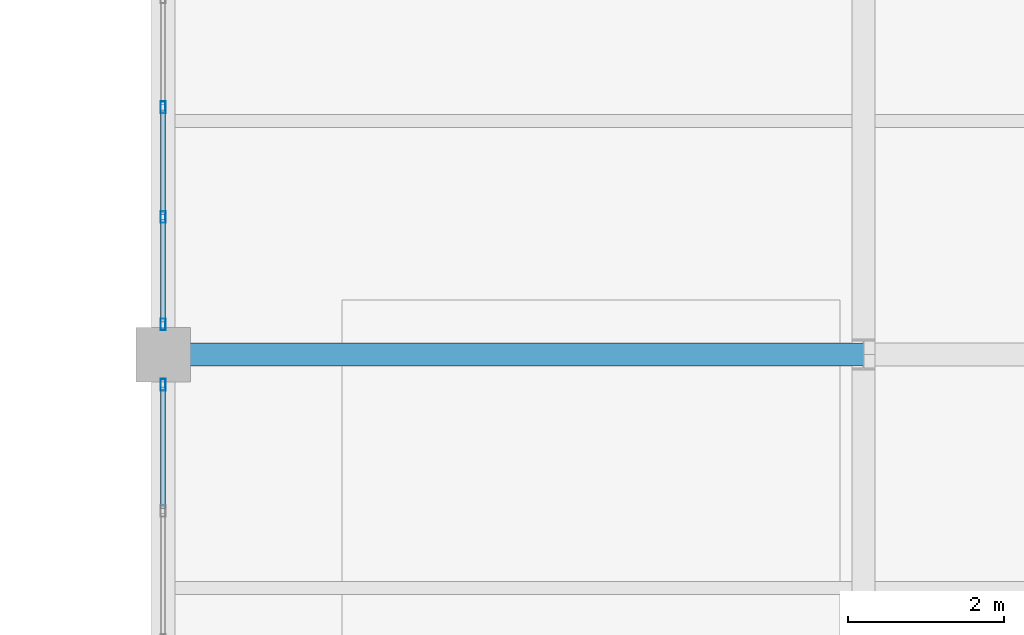
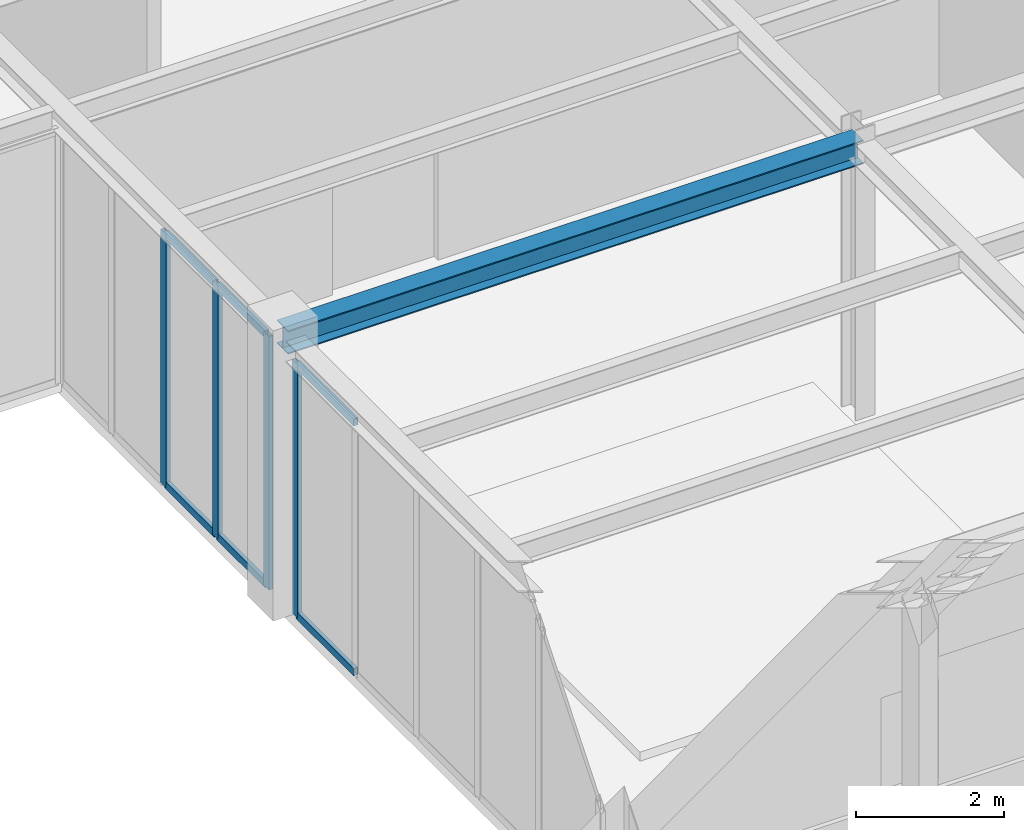
# One storey, part 30 of 92: 10 members, 1 beam, 2 elements without a shape of their own.
"""IFC4 building model written with IfcOpenShell, lengths in metres."""

from ifc_helpers import new_model, si_unit, direction, frame, origin, origin_2d, place, context, subcontext, project, spatial, hollow_rectangle, i_section, extrude, material, material_profile, profile_set, type_object, element, aggregate, save


model = new_model("IFC4")

# Units and contexts
model_context = context("Model", 3, precision=1e-05, world=origin(), true_north=direction((0.0, 1.0)))
body_context = subcontext(model_context, "Body", "Model", "MODEL_VIEW")
ifc_project = project(units=[si_unit("LENGTHUNIT", "METRE"), si_unit("AREAUNIT", "SQUARE_METRE"), si_unit("VOLUMEUNIT", "CUBIC_METRE"), si_unit("PLANEANGLEUNIT", "RADIAN"), si_unit("MASSUNIT", "GRAM", prefix="KILO")], contexts=[model_context])

# Site, building, storey
site_placement = place(None, origin())
site = spatial("IfcSite", under=ifc_project, at=site_placement, CompositionType="ELEMENT")
building_placement = place(site_placement, origin())
building = spatial("IfcBuilding", under=site, at=building_placement, Name="Lykobir Media Centre", CompositionType="ELEMENT")
storey_placement = place(building_placement, frame((0.0, 0.0, 5.39990234375)))
storey = spatial("IfcBuildingStorey", under=building, at=storey_placement, Name="L01", CompositionType="ELEMENT", Elevation=5.39990234375)

# Beam
ifc_material_1 = material(Name="Steel S355", Category="steel")
ifc_material_profile_1 = material_profile(ifc_material_1, i_section(OverallWidth=0.300048828125, OverallDepth=0.389892578125, WebThickness=0.010986328125, FlangeThickness=0.01904296875, at=origin_2d()), Name="HEA 400")
ifc_profile_set_1 = profile_set([ifc_material_profile_1], Name="Steel S355")
beam_type = type_object("IfcBeamType", Name="BM-HEA400", PredefinedType="BEAM", material=ifc_profile_set_1)
beam_placement = place(storey_placement, frame((90.0, 9.0, 4.364990234375), z_axis=(1.0, 0.0, 0.0), x_axis=(0.0, 1.0, 0.0)))
element("IfcBeam", 1, at=beam_placement, inside=storey, type_object=beam_type, Name="Beam BM-L01-0900-0090-0990-0090-976", PredefinedType="BEAM", context=body_context, shape_type="SweptSolid", body=[
    extrude(i_section(OverallWidth=0.300048828125, OverallDepth=0.389892578125, WebThickness=0.010986328125, FlangeThickness=0.01904296875, at=origin_2d()), origin(), (0.0, 0.0, 1.0), 9.0),
])

# Curtain wall, member
ifc_material_2 = material(Name="Anodized Aluminium AW-6060", Category="aluminium")
curtain_wall_type = type_object("IfcCurtainWallType", Name="CW-BRIDGE", PredefinedType="NOTDEFINED", material=ifc_material_2)
curtain_wall_1_placement = place(storey_placement, origin())
curtain_wall_1 = element("IfcCurtainWall", 2, at=curtain_wall_1_placement, inside=storey, type_object=curtain_wall_type, Name="Curtain wall CW2-L01-0026", PredefinedType="NOTDEFINED")
ifc_material_profile_2 = material_profile(ifc_material_2, hollow_rectangle(XDim=0.06494140625, YDim=0.14990234375, WallThickness=0.00341796875, at=origin_2d()), Name="ALU MULLION 65x150")
ifc_profile_set_2 = profile_set([ifc_material_profile_2], Name="Anodized Aluminium AW-6060")
member_type_1 = type_object("IfcMemberType", Name="CWM-150", PredefinedType="MULLION", material=ifc_profile_set_2)
member_1_placement = place(storey_placement, frame((90.0, 8.612548828125, 0.0), z_axis=(0.0, 0.0, 1.0), x_axis=(-1.0, 0.0, 0.0)))
member_1 = element("IfcMember", 3, at=member_1_placement, type_object=member_type_1, Name="CW2-L01-0026 mullion 6", PredefinedType="MULLION", context=body_context, shape_type="SweptSolid", body=[
    extrude(hollow_rectangle(XDim=0.06494140625, YDim=0.14990234375, WallThickness=0.00341796875, at=origin_2d()), origin(), (0.0, 0.0, 1.0), 4.195068359375),
])

# Curtain wall, members
curtain_wall_2_placement = place(storey_placement, origin())
curtain_wall_2 = element("IfcCurtainWall", 4, at=curtain_wall_2_placement, inside=storey, type_object=curtain_wall_type, Name="Curtain wall CW2-L01-0027", PredefinedType="NOTDEFINED")
member_2_placement = place(storey_placement, frame((90.0, 9.387451171875, 0.0), z_axis=(0.0, 0.0, 1.0), x_axis=(-1.0, 0.0, 0.0)))
member_2 = element("IfcMember", 5, at=member_2_placement, type_object=member_type_1, Name="CW2-L01-0027 mullion 1", PredefinedType="MULLION", context=body_context, shape_type="SweptSolid", body=[
    extrude(hollow_rectangle(XDim=0.06494140625, YDim=0.14990234375, WallThickness=0.00341796875, at=origin_2d()), origin(), (0.0, 0.0, 1.0), 4.195068359375),
])
member_3_placement = place(storey_placement, frame((90.0, 10.76611328125, 0.0), z_axis=(0.0, 0.0, 1.0), x_axis=(-1.0, 0.0, 0.0)))
member_3 = element("IfcMember", 6, at=member_3_placement, type_object=member_type_1, Name="CW2-L01-0027 mullion 2", PredefinedType="MULLION", context=body_context, shape_type="SweptSolid", body=[
    extrude(hollow_rectangle(XDim=0.06494140625, YDim=0.14990234375, WallThickness=0.00341796875, at=origin_2d()), origin(), (0.0, 0.0, 1.0), 4.195068359375),
])
member_4_placement = place(storey_placement, frame((90.0, 12.177490234375, 0.0), z_axis=(0.0, 0.0, 1.0), x_axis=(-1.0, 0.0, 0.0)))
member_4 = element("IfcMember", 7, at=member_4_placement, type_object=member_type_1, Name="CW2-L01-0027 mullion 3", PredefinedType="MULLION", context=body_context, shape_type="SweptSolid", body=[
    extrude(hollow_rectangle(XDim=0.06494140625, YDim=0.14990234375, WallThickness=0.00341796875, at=origin_2d()), origin(), (0.0, 0.0, 1.0), 4.195068359375),
])

# Member
ifc_material_profile_3 = material_profile(ifc_material_2, hollow_rectangle(XDim=0.06494140625, YDim=0.1201171875, WallThickness=0.0029296875, at=origin_2d()), Name="ALU TRANSOM 65x120")
ifc_profile_set_3 = profile_set([ifc_material_profile_3], Name="Anodized Aluminium AW-6060")
member_type_2 = type_object("IfcMemberType", Name="CWT-120", PredefinedType="USERDEFINED", material=ifc_profile_set_3)
member_5_placement = place(storey_placement, frame((90.0, 7.01953125, 0.03271484375), z_axis=(0.0, 1.0, 0.0), x_axis=(-1.0, 0.0, 0.0)))
member_5 = element("IfcMember", 8, at=member_5_placement, type_object=member_type_2, Name="CW2-L01-0026 transom 5.1", ObjectType="TRANSOM", PredefinedType="USERDEFINED", context=body_context, shape_type="SweptSolid", body=[
    extrude(hollow_rectangle(XDim=0.06494140625, YDim=0.1201171875, WallThickness=0.0029296875, at=origin_2d()), origin(), (0.0, 0.0, 1.0), 1.560546875),
])

member_6_placement = place(storey_placement, frame((90.0, 7.01953125, 4.16259765625), z_axis=(0.0, 1.0, 0.0), x_axis=(-1.0, 0.0, 0.0)))
member_6 = element("IfcMember", 9, at=member_6_placement, type_object=member_type_2, Name="CW2-L01-0026 transom 5.2", ObjectType="TRANSOM", PredefinedType="USERDEFINED", context=body_context, shape_type="SweptSolid", body=[
    extrude(hollow_rectangle(XDim=0.06494140625, YDim=0.1201171875, WallThickness=0.0029296875, at=origin_2d()), origin(), (0.0, 0.0, 1.0), 1.560546875),
])

aggregate(curtain_wall_1, [member_1, member_5, member_6])

member_7_placement = place(storey_placement, frame((90.0, 9.419921875, 0.03271484375), z_axis=(0.0, 1.0, 0.0), x_axis=(-1.0, 0.0, 0.0)))
member_7 = element("IfcMember", 10, at=member_7_placement, type_object=member_type_2, Name="CW2-L01-0027 transom 1.1", ObjectType="TRANSOM", PredefinedType="USERDEFINED", context=body_context, shape_type="SweptSolid", body=[
    extrude(hollow_rectangle(XDim=0.06494140625, YDim=0.1201171875, WallThickness=0.0029296875, at=origin_2d()), origin(), (0.0, 0.0, 1.0), 1.31396484375),
])

member_8_placement = place(storey_placement, frame((90.0, 9.419921875, 4.16259765625), z_axis=(0.0, 1.0, 0.0), x_axis=(-1.0, 0.0, 0.0)))
member_8 = element("IfcMember", 11, at=member_8_placement, type_object=member_type_2, Name="CW2-L01-0027 transom 1.2", ObjectType="TRANSOM", PredefinedType="USERDEFINED", context=body_context, shape_type="SweptSolid", body=[
    extrude(hollow_rectangle(XDim=0.06494140625, YDim=0.1201171875, WallThickness=0.0029296875, at=origin_2d()), origin(), (0.0, 0.0, 1.0), 1.31396484375),
])

member_9_placement = place(storey_placement, frame((90.0, 10.798828125, 0.03271484375), z_axis=(0.0, 1.0, 0.0), x_axis=(-1.0, 0.0, 0.0)))
member_9 = element("IfcMember", 12, at=member_9_placement, type_object=member_type_2, Name="CW2-L01-0027 transom 2.1", ObjectType="TRANSOM", PredefinedType="USERDEFINED", context=body_context, shape_type="SweptSolid", body=[
    extrude(hollow_rectangle(XDim=0.06494140625, YDim=0.1201171875, WallThickness=0.0029296875, at=origin_2d()), origin(), (0.0, 0.0, 1.0), 1.34619140625),
])

member_10_placement = place(storey_placement, frame((90.0, 10.798828125, 4.16259765625), z_axis=(0.0, 1.0, 0.0), x_axis=(-1.0, 0.0, 0.0)))
member_10 = element("IfcMember", 13, at=member_10_placement, type_object=member_type_2, Name="CW2-L01-0027 transom 2.2", ObjectType="TRANSOM", PredefinedType="USERDEFINED", context=body_context, shape_type="SweptSolid", body=[
    extrude(hollow_rectangle(XDim=0.06494140625, YDim=0.1201171875, WallThickness=0.0029296875, at=origin_2d()), origin(), (0.0, 0.0, 1.0), 1.34619140625),
])

aggregate(curtain_wall_2, [member_2, member_3, member_4, member_7, member_8, member_9, member_10])

save(model, "model.ifc")
